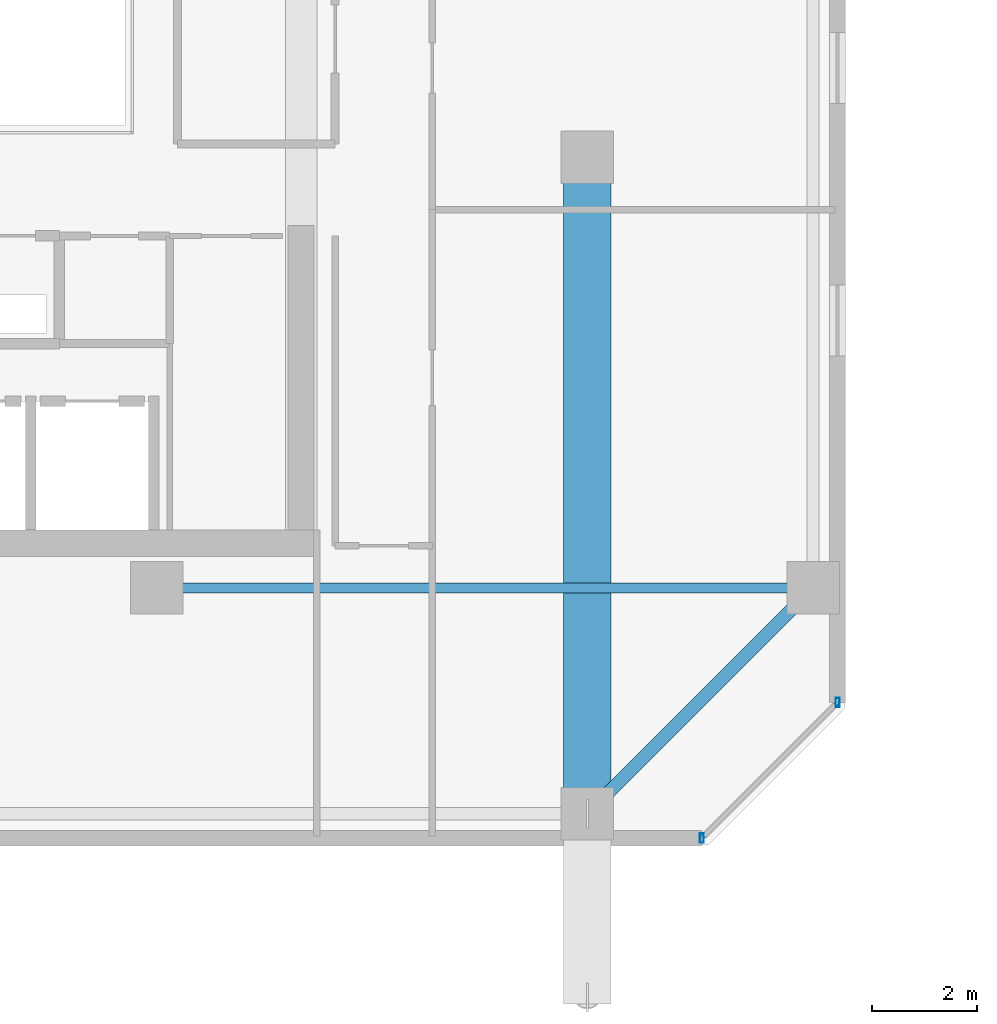
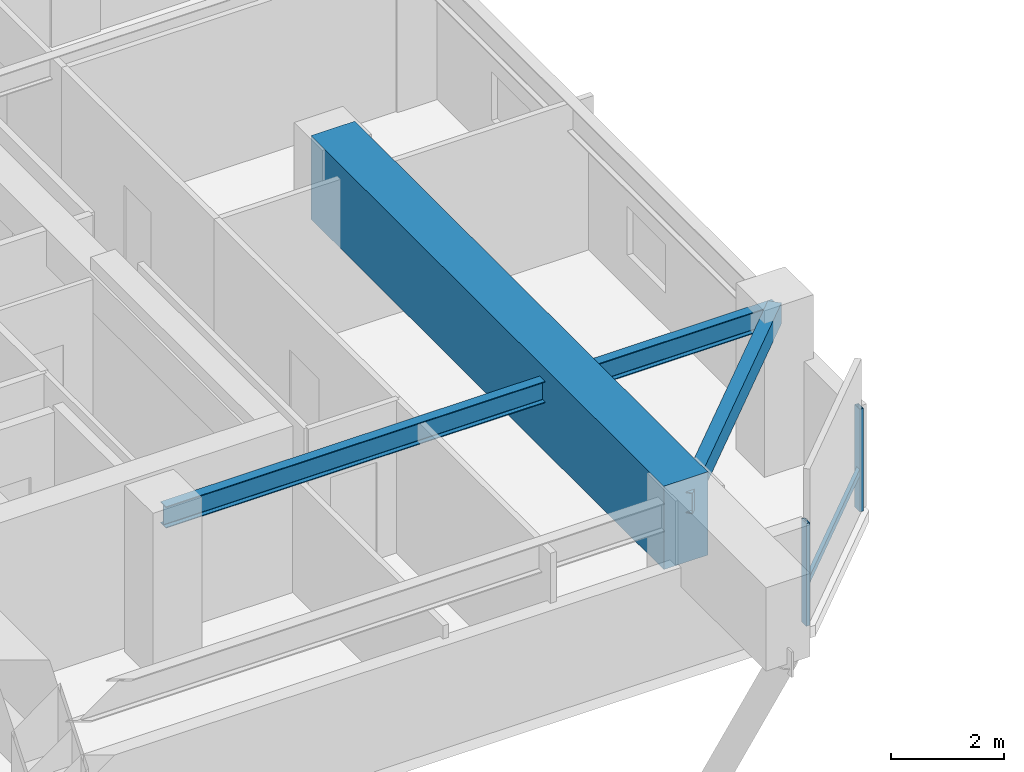
# One storey, part 5 of 35: 3 beams, 3 members, 1 element without a shape of its own.
"""IFC4 building model written with IfcOpenShell, lengths in metres."""

from ifc_helpers import new_model, si_unit, direction, frame, origin, origin_2d, place, context, subcontext, project, spatial, rectangle, hollow_rectangle, i_section, extrude, material, material_profile, profile_set, type_object, element, aggregate, save


model = new_model("IFC4")

# Units and contexts
model_context = context("Model", 3, precision=1e-05, world=origin(), true_north=direction((0.0, 1.0)))
body_context = subcontext(model_context, "Body", "Model", "MODEL_VIEW")
ifc_project = project(units=[si_unit("LENGTHUNIT", "METRE"), si_unit("AREAUNIT", "SQUARE_METRE"), si_unit("VOLUMEUNIT", "CUBIC_METRE"), si_unit("PLANEANGLEUNIT", "RADIAN"), si_unit("MASSUNIT", "GRAM", prefix="KILO")], contexts=[model_context])

# Site, building, storey
site_placement = place(None, origin())
site = spatial("IfcSite", under=ifc_project, at=site_placement, CompositionType="ELEMENT")
building_placement = place(site_placement, origin())
building = spatial("IfcBuilding", under=site, at=building_placement, Name="Thornwick Lancets Civic Towers", CompositionType="ELEMENT")
storey_placement = place(building_placement, frame((0.0, 0.0, 225.89990234375)))
storey = spatial("IfcBuildingStorey", under=building, at=storey_placement, Name="L60", CompositionType="ELEMENT", Elevation=225.89990234375)

# Beams
ifc_material_1 = material(Name="Steel S355JR", Category="steel")
ifc_material_profile_1 = material_profile(ifc_material_1, i_section(OverallWidth=0.19189453125, OverallDepth=0.46337890625, WebThickness=0.010498046875, FlangeThickness=0.017578125, FilletRadius=0.01025390625, at=origin_2d()), Name="UKB 457x191x89")
ifc_profile_set_1 = profile_set([ifc_material_profile_1], Name="Steel S355JR")
beam_type_1 = type_object("IfcBeamType", Name="BM_JOIST_457_89", PredefinedType="JOIST", material=ifc_profile_set_1)
beam_1_placement = place(storey_placement, frame((30.300048828125, 14.0, 3.08837890625), z_axis=(1.0, 0.0, 0.0), x_axis=(0.0, 1.0, 0.0)))
element("IfcBeam", 1, at=beam_1_placement, inside=storey, type_object=beam_type_1, Name="BM-RADIN-L60-A04", PredefinedType="JOIST", context=body_context, shape_type="SweptSolid", body=[
    extrude(i_section(OverallWidth=0.19189453125, OverallDepth=0.46337890625, WebThickness=0.010498046875, FlangeThickness=0.017578125, FilletRadius=0.01025390625, at=origin_2d()), origin(), (0.0, 0.0, 1.0), 12.5),
])
ifc_material_profile_2 = material_profile(ifc_material_1, hollow_rectangle(XDim=0.25, YDim=0.449951171875, WallThickness=0.01611328125, at=origin_2d()), Name="RHS 450x250x16")
ifc_profile_set_2 = profile_set([ifc_material_profile_2], Name="Steel S355JR")
beam_type_2 = type_object("IfcBeamType", Name="BM_RING_RHS450", PredefinedType="BEAM", material=ifc_profile_set_2)
beam_2_placement = place(storey_placement, frame((38.5, 9.699951171875, 3.09521484375), z_axis=(0.707106781187, 0.707106781187, 0.0), x_axis=(-0.707106781187, 0.707106781187, 0.0)))
element("IfcBeam", 2, at=beam_2_placement, inside=storey, type_object=beam_type_2, Name="BM-CHAMF-L60-A-C0", PredefinedType="BEAM", context=body_context, shape_type="SweptSolid", body=[
    extrude(hollow_rectangle(XDim=0.25, YDim=0.449951171875, WallThickness=0.01611328125, at=origin_2d()), origin(), (0.0, 0.0, 1.0), 6.081298828125),
])
ifc_material_2 = material(Name="Concrete C60/75", Category="concrete")
ifc_material_profile_3 = material_profile(ifc_material_2, rectangle(XDim=0.89990234375, YDim=1.800048828125, at=origin_2d()), Name="RC 900x1800")
ifc_profile_set_3 = profile_set([ifc_material_profile_3], Name="Concrete C60/75")
beam_type_3 = type_object("IfcBeamType", Name="BM_TR_RC1800", PredefinedType="BEAM", material=ifc_profile_set_3)
beam_3_placement = place(storey_placement, frame((38.5, 22.199951171875, 2.7001953125), z_axis=(0.0, -1.0, 0.0), x_axis=(1.0, 0.0, 0.0)))
element("IfcBeam", 3, at=beam_3_placement, inside=storey, type_object=beam_type_3, Name="TG-BACK-L61-A03", PredefinedType="BEAM", context=body_context, shape_type="SweptSolid", body=[
    extrude(rectangle(XDim=0.89990234375, YDim=1.800048828125, at=origin_2d()), origin(), (0.0, 0.0, 1.0), 12.5),
])

# Curtain wall, members
ifc_material_3 = material(Name="High-zone chamfered-corner unitised glass curtain wall", Category="glass")
curtain_wall_type = type_object("IfcCurtainWallType", Name="CW_SYS_05", PredefinedType="NOTDEFINED", material=ifc_material_3)
curtain_wall_placement = place(storey_placement, origin())
curtain_wall = element("IfcCurtainWall", 4, at=curtain_wall_placement, inside=storey, type_object=curtain_wall_type, Name="L60 Curtain Wall CW-L60-A-E1", PredefinedType="NOTDEFINED")
ifc_material_4 = material(Name="Thermally broken bronze aluminium S355", Category="steel")
ifc_material_profile_4 = material_profile(ifc_material_4, hollow_rectangle(XDim=0.074951171875, YDim=0.179931640625, WallThickness=0.006103515625, at=origin_2d()), Name="RHS 180x75x6")
ifc_profile_set_4 = profile_set([ifc_material_profile_4], Name="Thermally broken bronze aluminium S355")
member_type_1 = type_object("IfcMemberType", Name="CW_MUL_180", PredefinedType="MULLION", material=ifc_profile_set_4)
member_1_placement = place(storey_placement, frame((40.681396484375, 9.2353515625, 0.0), z_axis=(0.0, 0.0, 1.0), x_axis=(1.0, 0.0, 0.0)))
member_1 = element("IfcMember", 5, at=member_1_placement, type_object=member_type_1, Name="CW-L60-A-E1 Mullion 0", PredefinedType="MULLION", context=body_context, shape_type="SweptSolid", body=[
    extrude(hollow_rectangle(XDim=0.074951171875, YDim=0.179931640625, WallThickness=0.006103515625, at=origin_2d()), origin(), (0.0, 0.0, 1.0), 2.22021484375),
])
member_2_placement = place(storey_placement, frame((43.2646484375, 11.818603515625, 0.0), z_axis=(0.0, 0.0, 1.0), x_axis=(1.0, 0.0, 0.0)))
member_2 = element("IfcMember", 6, at=member_2_placement, type_object=member_type_1, Name="CW-L60-A-E1 Mullion 1", PredefinedType="MULLION", context=body_context, shape_type="SweptSolid", body=[
    extrude(hollow_rectangle(XDim=0.074951171875, YDim=0.179931640625, WallThickness=0.006103515625, at=origin_2d()), origin(), (0.0, 0.0, 1.0), 2.22021484375),
])
ifc_material_profile_5 = material_profile(ifc_material_4, hollow_rectangle(XDim=0.074951171875, YDim=0.14990234375, WallThickness=0.0048828125, at=origin_2d()), Name="RHS 150x75x5")
ifc_profile_set_5 = profile_set([ifc_material_profile_5], Name="Thermally broken bronze aluminium S355")
member_type_2 = type_object("IfcMemberType", Name="CW_TRN_150", PredefinedType="USERDEFINED", material=ifc_profile_set_5)
member_3_placement = place(storey_placement, frame((40.695556640625, 9.24951171875, 0.85009765625), z_axis=(0.707106781187, 0.707106781187, 0.0), x_axis=(-0.707106781187, 0.707106781187, 0.0)))
member_3 = element("IfcMember", 7, at=member_3_placement, type_object=member_type_2, Name="CW-L60-A-E1 Transom 0", ObjectType="TRANSOM", PredefinedType="USERDEFINED", context=body_context, shape_type="SweptSolid", body=[
    extrude(hollow_rectangle(XDim=0.074951171875, YDim=0.14990234375, WallThickness=0.0048828125, at=origin_2d()), origin(), (0.0, 0.0, 1.0), 3.61328125),
])
aggregate(curtain_wall, [member_1, member_2, member_3])

save(model, "model.ifc")
